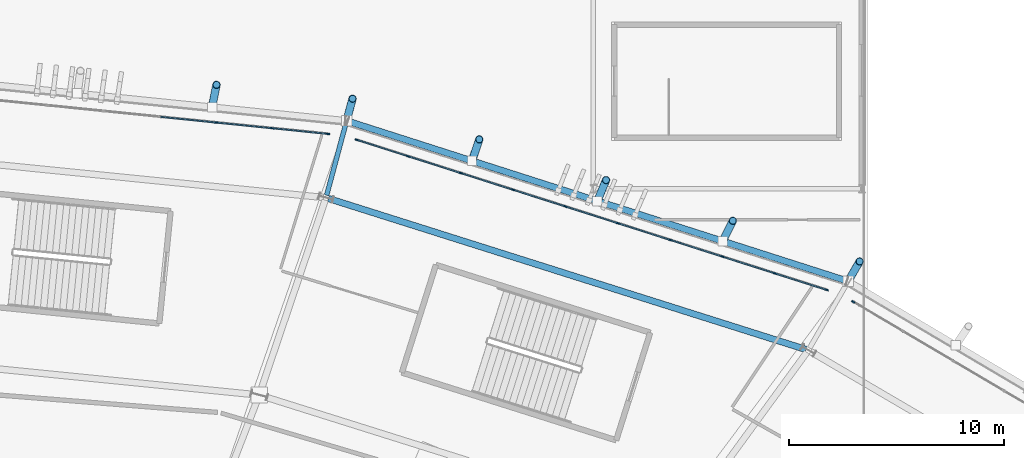
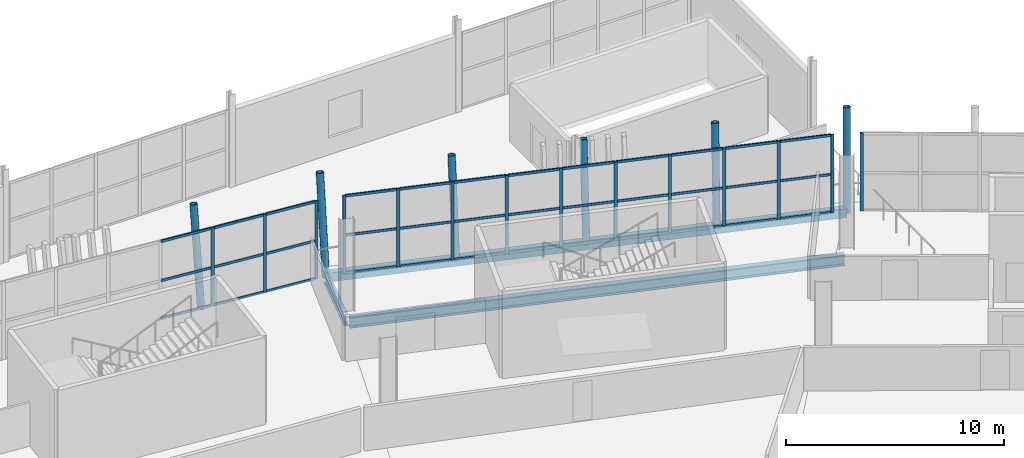
# One storey, part 76 of 168: 56 members, 3 beams, 3 elements without a shape of their own.
"""IFC4 building model written with IfcOpenShell, lengths in metres."""

from ifc_helpers import new_model, si_unit, direction, frame, origin, origin_2d, place, context, subcontext, project, spatial, rectangle, hollow_rectangle, hollow_circle, i_section, extrude, material, material_profile, profile_set, type_object, element, aggregate, save


model = new_model("IFC4")

# Units and contexts
model_context = context("Model", 3, precision=1e-05, world=origin(), true_north=direction((0.0, 1.0)))
body_context = subcontext(model_context, "Body", "Model", "MODEL_VIEW")
ifc_project = project(units=[si_unit("LENGTHUNIT", "METRE"), si_unit("AREAUNIT", "SQUARE_METRE"), si_unit("VOLUMEUNIT", "CUBIC_METRE"), si_unit("PLANEANGLEUNIT", "RADIAN"), si_unit("MASSUNIT", "GRAM", prefix="KILO")], contexts=[model_context])

# Site, building, storey
site_placement = place(None, origin())
site = spatial("IfcSite", under=ifc_project, at=site_placement, CompositionType="ELEMENT")
building_placement = place(site_placement, origin())
building = spatial("IfcBuilding", under=site, at=building_placement, Name="Zlatoyarsky Gate Stadium", CompositionType="ELEMENT")
storey_placement = place(building_placement, frame((0.0, 0.0, 15.60009765625)))
storey = spatial("IfcBuildingStorey", under=building, at=storey_placement, Name="L03", CompositionType="ELEMENT", Elevation=15.60009765625)

# Curtain wall, member
ifc_material_1 = material(Name="Thermally broken anodised aluminium curtain wall", Category="aluminium")
curtain_wall_type = type_object("IfcCurtainWallType", Name="UNITISED CORPORATE BOX GLAZING L03", PredefinedType="USERDEFINED", material=ifc_material_1)
curtain_wall_1_placement = place(storey_placement, origin())
curtain_wall_1 = element("IfcCurtainWall", 1, at=curtain_wall_1_placement, inside=storey, type_object=curtain_wall_type, Name="Curtain wall CW-L03-03", ObjectType="UNITISED GLAZING", PredefinedType="USERDEFINED")
ifc_material_2 = material(Name="Anodised aluminium 6063-T6", Category="aluminium")
ifc_material_profile_1 = material_profile(ifc_material_2, rectangle(XDim=0.06494140625, YDim=0.159912109375, at=origin_2d()), Name="ALU 65X160")
ifc_profile_set_1 = profile_set([ifc_material_profile_1], Name="Anodised aluminium 6063-T6")
member_type_1 = type_object("IfcMemberType", Name="ALUMINIUM MULLION 65X160", PredefinedType="MULLION", material=ifc_profile_set_1)
member_1_placement = place(storey_placement, frame((159.588623046875, 143.740234375, 0.0), z_axis=(0.0, 0.0, 1.0), x_axis=(-0.509098466593, -0.860708284678, 0.0)))
member_1 = element("IfcMember", 2, at=member_1_placement, type_object=member_type_1, Name="CW-UG3 mullion 9", PredefinedType="MULLION", context=body_context, shape_type="SweptSolid", body=[
    extrude(rectangle(XDim=0.06494140625, YDim=0.159912109375, at=origin_2d()), origin(), (0.0, 0.0, 1.0), 4.3798828125),
])
aggregate(curtain_wall_1, [member_1])

# Curtain wall, members
curtain_wall_2_placement = place(storey_placement, origin())
curtain_wall_2 = element("IfcCurtainWall", 3, at=curtain_wall_2_placement, inside=storey, type_object=curtain_wall_type, Name="Curtain wall CW-L03-04", ObjectType="UNITISED GLAZING", PredefinedType="USERDEFINED")
member_2_placement = place(storey_placement, frame((158.350830078125, 144.29541015625, 0.0), z_axis=(0.0, 0.0, 1.0), x_axis=(-0.304162129597, -0.952620280552, 0.0)))
member_2 = element("IfcMember", 4, at=member_2_placement, type_object=member_type_1, Name="CW-UG3 mullion 1", PredefinedType="MULLION", context=body_context, shape_type="SweptSolid", body=[
    extrude(rectangle(XDim=0.06494140625, YDim=0.159912109375, at=origin_2d()), origin(), (0.0, 0.0, 1.0), 4.3798828125),
])
member_3_placement = place(storey_placement, frame((155.94677734375, 145.06298828125, 0.0), z_axis=(0.0, 0.0, 1.0), x_axis=(-0.304162129597, -0.952620280552, 0.0)))
member_3 = element("IfcMember", 5, at=member_3_placement, type_object=member_type_1, Name="CW-UG3 mullion 2", PredefinedType="MULLION", context=body_context, shape_type="SweptSolid", body=[
    extrude(rectangle(XDim=0.06494140625, YDim=0.159912109375, at=origin_2d()), origin(), (0.0, 0.0, 1.0), 4.3798828125),
])
member_4_placement = place(storey_placement, frame((153.51171875, 145.840576171875, 0.0), z_axis=(0.0, 0.0, 1.0), x_axis=(-0.304162129597, -0.952620280552, 0.0)))
member_4 = element("IfcMember", 6, at=member_4_placement, type_object=member_type_1, Name="CW-UG3 mullion 3", PredefinedType="MULLION", context=body_context, shape_type="SweptSolid", body=[
    extrude(rectangle(XDim=0.06494140625, YDim=0.159912109375, at=origin_2d()), origin(), (0.0, 0.0, 1.0), 4.3798828125),
])
member_5_placement = place(storey_placement, frame((151.07666015625, 146.617919921875, 0.0), z_axis=(0.0, 0.0, 1.0), x_axis=(-0.304162129597, -0.952620280552, 0.0)))
member_5 = element("IfcMember", 7, at=member_5_placement, type_object=member_type_1, Name="CW-UG3 mullion 4", PredefinedType="MULLION", context=body_context, shape_type="SweptSolid", body=[
    extrude(rectangle(XDim=0.06494140625, YDim=0.159912109375, at=origin_2d()), origin(), (0.0, 0.0, 1.0), 4.3798828125),
])
member_6_placement = place(storey_placement, frame((148.6416015625, 147.3955078125, 0.0), z_axis=(0.0, 0.0, 1.0), x_axis=(-0.304162129597, -0.952620280552, 0.0)))
member_6 = element("IfcMember", 8, at=member_6_placement, type_object=member_type_1, Name="CW-UG3 mullion 5", PredefinedType="MULLION", context=body_context, shape_type="SweptSolid", body=[
    extrude(rectangle(XDim=0.06494140625, YDim=0.159912109375, at=origin_2d()), origin(), (0.0, 0.0, 1.0), 4.3798828125),
])
member_7_placement = place(storey_placement, frame((146.20654296875, 148.1728515625, 0.0), z_axis=(0.0, 0.0, 1.0), x_axis=(-0.304162129597, -0.952620280552, 0.0)))
member_7 = element("IfcMember", 9, at=member_7_placement, type_object=member_type_1, Name="CW-UG3 mullion 6", PredefinedType="MULLION", context=body_context, shape_type="SweptSolid", body=[
    extrude(rectangle(XDim=0.06494140625, YDim=0.159912109375, at=origin_2d()), origin(), (0.0, 0.0, 1.0), 4.3798828125),
])
member_8_placement = place(storey_placement, frame((143.771484375, 148.950439453125, 0.0), z_axis=(0.0, 0.0, 1.0), x_axis=(-0.304162129597, -0.952620280552, 0.0)))
member_8 = element("IfcMember", 10, at=member_8_placement, type_object=member_type_1, Name="CW-UG3 mullion 7", PredefinedType="MULLION", context=body_context, shape_type="SweptSolid", body=[
    extrude(rectangle(XDim=0.06494140625, YDim=0.159912109375, at=origin_2d()), origin(), (0.0, 0.0, 1.0), 4.3798828125),
])
member_9_placement = place(storey_placement, frame((141.33642578125, 149.72802734375, 0.0), z_axis=(0.0, 0.0, 1.0), x_axis=(-0.304162129597, -0.952620280552, 0.0)))
member_9 = element("IfcMember", 11, at=member_9_placement, type_object=member_type_1, Name="CW-UG3 mullion 8", PredefinedType="MULLION", context=body_context, shape_type="SweptSolid", body=[
    extrude(rectangle(XDim=0.06494140625, YDim=0.159912109375, at=origin_2d()), origin(), (0.0, 0.0, 1.0), 4.3798828125),
])
member_10_placement = place(storey_placement, frame((138.9013671875, 150.50537109375, 0.0), z_axis=(0.0, 0.0, 1.0), x_axis=(-0.304162129597, -0.952620280552, 0.0)))
member_10 = element("IfcMember", 12, at=member_10_placement, type_object=member_type_1, Name="CW-UG3 mullion 9", PredefinedType="MULLION", context=body_context, shape_type="SweptSolid", body=[
    extrude(rectangle(XDim=0.06494140625, YDim=0.159912109375, at=origin_2d()), origin(), (0.0, 0.0, 1.0), 4.3798828125),
])
member_11_placement = place(storey_placement, frame((136.497314453125, 151.27294921875, 0.0), z_axis=(0.0, 0.0, 1.0), x_axis=(-0.304162129597, -0.952620280552, 0.0)))
member_11 = element("IfcMember", 13, at=member_11_placement, type_object=member_type_1, Name="CW-UG3 mullion 10", PredefinedType="MULLION", context=body_context, shape_type="SweptSolid", body=[
    extrude(rectangle(XDim=0.06494140625, YDim=0.159912109375, at=origin_2d()), origin(), (0.0, 0.0, 1.0), 4.3798828125),
])

curtain_wall_3_placement = place(storey_placement, origin())
curtain_wall_3 = element("IfcCurtainWall", 14, at=curtain_wall_3_placement, inside=storey, type_object=curtain_wall_type, Name="Curtain wall CW-L03-05", ObjectType="UNITISED GLAZING", PredefinedType="USERDEFINED")
member_12_placement = place(storey_placement, frame((135.168212890625, 151.549560546875, 0.0), z_axis=(0.0, 0.0, 1.0), x_axis=(-0.100968176403, -0.994889655868, 0.0)))
member_12 = element("IfcMember", 15, at=member_12_placement, type_object=member_type_1, Name="CW-UG3 mullion 1", PredefinedType="MULLION", context=body_context, shape_type="SweptSolid", body=[
    extrude(rectangle(XDim=0.06494140625, YDim=0.159912109375, at=origin_2d()), origin(), (0.0, 0.0, 1.0), 4.3798828125),
])
member_13_placement = place(storey_placement, frame((132.58349609375, 151.811767578125, 0.0), z_axis=(0.0, 0.0, 1.0), x_axis=(-0.100968176403, -0.994889655868, 0.0)))
member_13 = element("IfcMember", 16, at=member_13_placement, type_object=member_type_1, Name="CW-UG3 mullion 2", PredefinedType="MULLION", context=body_context, shape_type="SweptSolid", body=[
    extrude(rectangle(XDim=0.06494140625, YDim=0.159912109375, at=origin_2d()), origin(), (0.0, 0.0, 1.0), 4.3798828125),
])
member_14_placement = place(storey_placement, frame((129.96630859375, 152.077392578125, 0.0), z_axis=(0.0, 0.0, 1.0), x_axis=(-0.100968176403, -0.994889655868, 0.0)))
member_14 = element("IfcMember", 17, at=member_14_placement, type_object=member_type_1, Name="CW-UG3 mullion 3", PredefinedType="MULLION", context=body_context, shape_type="SweptSolid", body=[
    extrude(rectangle(XDim=0.06494140625, YDim=0.159912109375, at=origin_2d()), origin(), (0.0, 0.0, 1.0), 4.3798828125),
])

# Member
ifc_material_profile_2 = material_profile(ifc_material_2, rectangle(XDim=0.06494140625, YDim=0.139892578125, at=origin_2d()), Name="ALU 65X140")
ifc_profile_set_2 = profile_set([ifc_material_profile_2], Name="Anodised aluminium 6063-T6")
member_type_2 = type_object("IfcMemberType", Name="ALUMINIUM TRANSOM 65X140", PredefinedType="USERDEFINED", material=ifc_profile_set_2)
member_15_placement = place(storey_placement, frame((158.320068359375, 144.30517578125, 0.032470703125), z_axis=(-0.952599226387, 0.304228062294, 0.0), x_axis=(-0.304228062294, -0.952599226387, 0.0)))
member_15 = element("IfcMember", 18, at=member_15_placement, type_object=member_type_2, Name="CW-UG3 transom 1.1", ObjectType="TRANSOM", PredefinedType="USERDEFINED", context=body_context, shape_type="SweptSolid", body=[
    extrude(rectangle(XDim=0.06494140625, YDim=0.139892578125, at=origin_2d()), origin(), (0.0, 0.0, 1.0), 2.458740234375),
])

member_16_placement = place(storey_placement, frame((158.320068359375, 144.30517578125, 2.14990234375), z_axis=(-0.952599226387, 0.304228062294, 0.0), x_axis=(-0.304228062294, -0.952599226387, 0.0)))
member_16 = element("IfcMember", 19, at=member_16_placement, type_object=member_type_2, Name="CW-UG3 transom 1.2", ObjectType="TRANSOM", PredefinedType="USERDEFINED", context=body_context, shape_type="SweptSolid", body=[
    extrude(rectangle(XDim=0.06494140625, YDim=0.139892578125, at=origin_2d()), origin(), (0.0, 0.0, 1.0), 2.458740234375),
])

member_17_placement = place(storey_placement, frame((158.320068359375, 144.30517578125, 4.347412109375), z_axis=(-0.952599226387, 0.304228062294, 0.0), x_axis=(-0.304228062294, -0.952599226387, 0.0)))
member_17 = element("IfcMember", 20, at=member_17_placement, type_object=member_type_2, Name="CW-UG3 transom 1.3", ObjectType="TRANSOM", PredefinedType="USERDEFINED", context=body_context, shape_type="SweptSolid", body=[
    extrude(rectangle(XDim=0.06494140625, YDim=0.139892578125, at=origin_2d()), origin(), (0.0, 0.0, 1.0), 2.458740234375),
])

member_18_placement = place(storey_placement, frame((155.915771484375, 145.07275390625, 0.032470703125), z_axis=(-0.95260604701, 0.304206704724, 0.0), x_axis=(-0.304206704724, -0.95260604701, 0.0)))
member_18 = element("IfcMember", 21, at=member_18_placement, type_object=member_type_2, Name="CW-UG3 transom 2.1", ObjectType="TRANSOM", PredefinedType="USERDEFINED", context=body_context, shape_type="SweptSolid", body=[
    extrude(rectangle(XDim=0.06494140625, YDim=0.139892578125, at=origin_2d()), origin(), (0.0, 0.0, 1.0), 2.4912109375),
])

member_19_placement = place(storey_placement, frame((155.915771484375, 145.07275390625, 2.14990234375), z_axis=(-0.95260604701, 0.304206704724, 0.0), x_axis=(-0.304206704724, -0.95260604701, 0.0)))
member_19 = element("IfcMember", 22, at=member_19_placement, type_object=member_type_2, Name="CW-UG3 transom 2.2", ObjectType="TRANSOM", PredefinedType="USERDEFINED", context=body_context, shape_type="SweptSolid", body=[
    extrude(rectangle(XDim=0.06494140625, YDim=0.139892578125, at=origin_2d()), origin(), (0.0, 0.0, 1.0), 2.4912109375),
])

member_20_placement = place(storey_placement, frame((155.915771484375, 145.07275390625, 4.347412109375), z_axis=(-0.95260604701, 0.304206704724, 0.0), x_axis=(-0.304206704724, -0.95260604701, 0.0)))
member_20 = element("IfcMember", 23, at=member_20_placement, type_object=member_type_2, Name="CW-UG3 transom 2.3", ObjectType="TRANSOM", PredefinedType="USERDEFINED", context=body_context, shape_type="SweptSolid", body=[
    extrude(rectangle(XDim=0.06494140625, YDim=0.139892578125, at=origin_2d()), origin(), (0.0, 0.0, 1.0), 2.4912109375),
])

member_21_placement = place(storey_placement, frame((153.480712890625, 145.850341796875, 0.032470703125), z_axis=(-0.95260604701, 0.304206704724, 0.0), x_axis=(-0.304206704724, -0.95260604701, 0.0)))
member_21 = element("IfcMember", 24, at=member_21_placement, type_object=member_type_2, Name="CW-UG3 transom 3.1", ObjectType="TRANSOM", PredefinedType="USERDEFINED", context=body_context, shape_type="SweptSolid", body=[
    extrude(rectangle(XDim=0.06494140625, YDim=0.139892578125, at=origin_2d()), origin(), (0.0, 0.0, 1.0), 2.4912109375),
])

member_22_placement = place(storey_placement, frame((153.480712890625, 145.850341796875, 2.14990234375), z_axis=(-0.95260604701, 0.304206704724, 0.0), x_axis=(-0.304206704724, -0.95260604701, 0.0)))
member_22 = element("IfcMember", 25, at=member_22_placement, type_object=member_type_2, Name="CW-UG3 transom 3.2", ObjectType="TRANSOM", PredefinedType="USERDEFINED", context=body_context, shape_type="SweptSolid", body=[
    extrude(rectangle(XDim=0.06494140625, YDim=0.139892578125, at=origin_2d()), origin(), (0.0, 0.0, 1.0), 2.4912109375),
])

member_23_placement = place(storey_placement, frame((153.480712890625, 145.850341796875, 4.347412109375), z_axis=(-0.95260604701, 0.304206704724, 0.0), x_axis=(-0.304206704724, -0.95260604701, 0.0)))
member_23 = element("IfcMember", 26, at=member_23_placement, type_object=member_type_2, Name="CW-UG3 transom 3.3", ObjectType="TRANSOM", PredefinedType="USERDEFINED", context=body_context, shape_type="SweptSolid", body=[
    extrude(rectangle(XDim=0.06494140625, YDim=0.139892578125, at=origin_2d()), origin(), (0.0, 0.0, 1.0), 2.4912109375),
])

member_24_placement = place(storey_placement, frame((151.045654296875, 146.6279296875, 0.032470703125), z_axis=(-0.952634444414, 0.304117765537, 0.0), x_axis=(-0.304117765537, -0.952634444414, 0.0)))
member_24 = element("IfcMember", 27, at=member_24_placement, type_object=member_type_2, Name="CW-UG3 transom 4.1", ObjectType="TRANSOM", PredefinedType="USERDEFINED", context=body_context, shape_type="SweptSolid", body=[
    extrude(rectangle(XDim=0.06494140625, YDim=0.139892578125, at=origin_2d()), origin(), (0.0, 0.0, 1.0), 2.490966796875),
])

member_25_placement = place(storey_placement, frame((151.045654296875, 146.6279296875, 2.14990234375), z_axis=(-0.952634444414, 0.304117765537, 0.0), x_axis=(-0.304117765537, -0.952634444414, 0.0)))
member_25 = element("IfcMember", 28, at=member_25_placement, type_object=member_type_2, Name="CW-UG3 transom 4.2", ObjectType="TRANSOM", PredefinedType="USERDEFINED", context=body_context, shape_type="SweptSolid", body=[
    extrude(rectangle(XDim=0.06494140625, YDim=0.139892578125, at=origin_2d()), origin(), (0.0, 0.0, 1.0), 2.490966796875),
])

member_26_placement = place(storey_placement, frame((151.045654296875, 146.6279296875, 4.347412109375), z_axis=(-0.952634444414, 0.304117765537, 0.0), x_axis=(-0.304117765537, -0.952634444414, 0.0)))
member_26 = element("IfcMember", 29, at=member_26_placement, type_object=member_type_2, Name="CW-UG3 transom 4.3", ObjectType="TRANSOM", PredefinedType="USERDEFINED", context=body_context, shape_type="SweptSolid", body=[
    extrude(rectangle(XDim=0.06494140625, YDim=0.139892578125, at=origin_2d()), origin(), (0.0, 0.0, 1.0), 2.490966796875),
])

member_27_placement = place(storey_placement, frame((148.610595703125, 147.4052734375, 0.032470703125), z_axis=(-0.95260604701, 0.304206704724, 0.0), x_axis=(-0.304206704724, -0.95260604701, 0.0)))
member_27 = element("IfcMember", 30, at=member_27_placement, type_object=member_type_2, Name="CW-UG3 transom 5.1", ObjectType="TRANSOM", PredefinedType="USERDEFINED", context=body_context, shape_type="SweptSolid", body=[
    extrude(rectangle(XDim=0.06494140625, YDim=0.139892578125, at=origin_2d()), origin(), (0.0, 0.0, 1.0), 2.4912109375),
])

member_28_placement = place(storey_placement, frame((148.610595703125, 147.4052734375, 2.14990234375), z_axis=(-0.95260604701, 0.304206704724, 0.0), x_axis=(-0.304206704724, -0.95260604701, 0.0)))
member_28 = element("IfcMember", 31, at=member_28_placement, type_object=member_type_2, Name="CW-UG3 transom 5.2", ObjectType="TRANSOM", PredefinedType="USERDEFINED", context=body_context, shape_type="SweptSolid", body=[
    extrude(rectangle(XDim=0.06494140625, YDim=0.139892578125, at=origin_2d()), origin(), (0.0, 0.0, 1.0), 2.4912109375),
])

member_29_placement = place(storey_placement, frame((148.610595703125, 147.4052734375, 4.347412109375), z_axis=(-0.95260604701, 0.304206704724, 0.0), x_axis=(-0.304206704724, -0.95260604701, 0.0)))
member_29 = element("IfcMember", 32, at=member_29_placement, type_object=member_type_2, Name="CW-UG3 transom 5.3", ObjectType="TRANSOM", PredefinedType="USERDEFINED", context=body_context, shape_type="SweptSolid", body=[
    extrude(rectangle(XDim=0.06494140625, YDim=0.139892578125, at=origin_2d()), origin(), (0.0, 0.0, 1.0), 2.4912109375),
])

member_30_placement = place(storey_placement, frame((146.17578125, 148.182861328125, 0.032470703125), z_axis=(-0.95264350764, 0.304089373954, 0.0), x_axis=(-0.304089373954, -0.95264350764, 0.0)))
member_30 = element("IfcMember", 33, at=member_30_placement, type_object=member_type_2, Name="CW-UG3 transom 6.1", ObjectType="TRANSOM", PredefinedType="USERDEFINED", context=body_context, shape_type="SweptSolid", body=[
    extrude(rectangle(XDim=0.06494140625, YDim=0.139892578125, at=origin_2d()), origin(), (0.0, 0.0, 1.0), 2.4912109375),
])

member_31_placement = place(storey_placement, frame((146.17578125, 148.182861328125, 2.14990234375), z_axis=(-0.95264350764, 0.304089373954, 0.0), x_axis=(-0.304089373954, -0.95264350764, 0.0)))
member_31 = element("IfcMember", 34, at=member_31_placement, type_object=member_type_2, Name="CW-UG3 transom 6.2", ObjectType="TRANSOM", PredefinedType="USERDEFINED", context=body_context, shape_type="SweptSolid", body=[
    extrude(rectangle(XDim=0.06494140625, YDim=0.139892578125, at=origin_2d()), origin(), (0.0, 0.0, 1.0), 2.4912109375),
])

member_32_placement = place(storey_placement, frame((146.17578125, 148.182861328125, 4.347412109375), z_axis=(-0.95264350764, 0.304089373954, 0.0), x_axis=(-0.304089373954, -0.95264350764, 0.0)))
member_32 = element("IfcMember", 35, at=member_32_placement, type_object=member_type_2, Name="CW-UG3 transom 6.3", ObjectType="TRANSOM", PredefinedType="USERDEFINED", context=body_context, shape_type="SweptSolid", body=[
    extrude(rectangle(XDim=0.06494140625, YDim=0.139892578125, at=origin_2d()), origin(), (0.0, 0.0, 1.0), 2.4912109375),
])

member_33_placement = place(storey_placement, frame((143.74072265625, 148.960205078125, 0.032470703125), z_axis=(-0.952615115267, 0.304178306531, 0.0), x_axis=(-0.304178306531, -0.952615115267, 0.0)))
member_33 = element("IfcMember", 36, at=member_33_placement, type_object=member_type_2, Name="CW-UG3 transom 7.1", ObjectType="TRANSOM", PredefinedType="USERDEFINED", context=body_context, shape_type="SweptSolid", body=[
    extrude(rectangle(XDim=0.06494140625, YDim=0.139892578125, at=origin_2d()), origin(), (0.0, 0.0, 1.0), 2.491455078125),
])

member_34_placement = place(storey_placement, frame((143.74072265625, 148.960205078125, 2.14990234375), z_axis=(-0.952615115267, 0.304178306531, 0.0), x_axis=(-0.304178306531, -0.952615115267, 0.0)))
member_34 = element("IfcMember", 37, at=member_34_placement, type_object=member_type_2, Name="CW-UG3 transom 7.2", ObjectType="TRANSOM", PredefinedType="USERDEFINED", context=body_context, shape_type="SweptSolid", body=[
    extrude(rectangle(XDim=0.06494140625, YDim=0.139892578125, at=origin_2d()), origin(), (0.0, 0.0, 1.0), 2.491455078125),
])

member_35_placement = place(storey_placement, frame((143.74072265625, 148.960205078125, 4.347412109375), z_axis=(-0.952615115267, 0.304178306531, 0.0), x_axis=(-0.304178306531, -0.952615115267, 0.0)))
member_35 = element("IfcMember", 38, at=member_35_placement, type_object=member_type_2, Name="CW-UG3 transom 7.3", ObjectType="TRANSOM", PredefinedType="USERDEFINED", context=body_context, shape_type="SweptSolid", body=[
    extrude(rectangle(XDim=0.06494140625, YDim=0.139892578125, at=origin_2d()), origin(), (0.0, 0.0, 1.0), 2.491455078125),
])

member_36_placement = place(storey_placement, frame((141.3056640625, 149.73779296875, 0.032470703125), z_axis=(-0.952615115267, 0.304178306531, 0.0), x_axis=(-0.304178306531, -0.952615115267, 0.0)))
member_36 = element("IfcMember", 39, at=member_36_placement, type_object=member_type_2, Name="CW-UG3 transom 8.1", ObjectType="TRANSOM", PredefinedType="USERDEFINED", context=body_context, shape_type="SweptSolid", body=[
    extrude(rectangle(XDim=0.06494140625, YDim=0.139892578125, at=origin_2d()), origin(), (0.0, 0.0, 1.0), 2.491455078125),
])

member_37_placement = place(storey_placement, frame((141.3056640625, 149.73779296875, 2.14990234375), z_axis=(-0.952615115267, 0.304178306531, 0.0), x_axis=(-0.304178306531, -0.952615115267, 0.0)))
member_37 = element("IfcMember", 40, at=member_37_placement, type_object=member_type_2, Name="CW-UG3 transom 8.2", ObjectType="TRANSOM", PredefinedType="USERDEFINED", context=body_context, shape_type="SweptSolid", body=[
    extrude(rectangle(XDim=0.06494140625, YDim=0.139892578125, at=origin_2d()), origin(), (0.0, 0.0, 1.0), 2.491455078125),
])

member_38_placement = place(storey_placement, frame((141.3056640625, 149.73779296875, 4.347412109375), z_axis=(-0.952615115267, 0.304178306531, 0.0), x_axis=(-0.304178306531, -0.952615115267, 0.0)))
member_38 = element("IfcMember", 41, at=member_38_placement, type_object=member_type_2, Name="CW-UG3 transom 8.3", ObjectType="TRANSOM", PredefinedType="USERDEFINED", context=body_context, shape_type="SweptSolid", body=[
    extrude(rectangle(XDim=0.06494140625, YDim=0.139892578125, at=origin_2d()), origin(), (0.0, 0.0, 1.0), 2.491455078125),
])

member_39_placement = place(storey_placement, frame((138.87060546875, 150.515380859375, 0.032470703125), z_axis=(-0.952627998304, 0.304137956932, 0.0), x_axis=(-0.304137956932, -0.952627998304, 0.0)))
member_39 = element("IfcMember", 42, at=member_39_placement, type_object=member_type_2, Name="CW-UG3 transom 9.1", ObjectType="TRANSOM", PredefinedType="USERDEFINED", context=body_context, shape_type="SweptSolid", body=[
    extrude(rectangle(XDim=0.06494140625, YDim=0.139892578125, at=origin_2d()), origin(), (0.0, 0.0, 1.0), 2.458740234375),
])

member_40_placement = place(storey_placement, frame((138.87060546875, 150.515380859375, 2.14990234375), z_axis=(-0.952627998304, 0.304137956932, 0.0), x_axis=(-0.304137956932, -0.952627998304, 0.0)))
member_40 = element("IfcMember", 43, at=member_40_placement, type_object=member_type_2, Name="CW-UG3 transom 9.2", ObjectType="TRANSOM", PredefinedType="USERDEFINED", context=body_context, shape_type="SweptSolid", body=[
    extrude(rectangle(XDim=0.06494140625, YDim=0.139892578125, at=origin_2d()), origin(), (0.0, 0.0, 1.0), 2.458740234375),
])

member_41_placement = place(storey_placement, frame((138.87060546875, 150.515380859375, 4.347412109375), z_axis=(-0.952627998304, 0.304137956932, 0.0), x_axis=(-0.304137956932, -0.952627998304, 0.0)))
member_41 = element("IfcMember", 44, at=member_41_placement, type_object=member_type_2, Name="CW-UG3 transom 9.3", ObjectType="TRANSOM", PredefinedType="USERDEFINED", context=body_context, shape_type="SweptSolid", body=[
    extrude(rectangle(XDim=0.06494140625, YDim=0.139892578125, at=origin_2d()), origin(), (0.0, 0.0, 1.0), 2.458740234375),
])

aggregate(curtain_wall_2, [member_2, member_3, member_4, member_5, member_6, member_7, member_8, member_9, member_10, member_11, member_15, member_16, member_17, member_18, member_19, member_20, member_21, member_22, member_23, member_24, member_25, member_26, member_27, member_28, member_29, member_30, member_31, member_32, member_33, member_34, member_35, member_36, member_37, member_38, member_39, member_40, member_41])

member_42_placement = place(storey_placement, frame((135.1357421875, 151.552734375, 0.032470703125), z_axis=(-0.994885267415, 0.101011408666, 0.0), x_axis=(-0.101011408666, -0.994885267415, 0.0)))
member_42 = element("IfcMember", 45, at=member_42_placement, type_object=member_type_2, Name="CW-UG3 transom 1.1", ObjectType="TRANSOM", PredefinedType="USERDEFINED", context=body_context, shape_type="SweptSolid", body=[
    extrude(rectangle(XDim=0.06494140625, YDim=0.139892578125, at=origin_2d()), origin(), (0.0, 0.0, 1.0), 2.532958984375),
])

member_43_placement = place(storey_placement, frame((135.1357421875, 151.552734375, 2.14990234375), z_axis=(-0.994885267415, 0.101011408666, 0.0), x_axis=(-0.101011408666, -0.994885267415, 0.0)))
member_43 = element("IfcMember", 46, at=member_43_placement, type_object=member_type_2, Name="CW-UG3 transom 1.2", ObjectType="TRANSOM", PredefinedType="USERDEFINED", context=body_context, shape_type="SweptSolid", body=[
    extrude(rectangle(XDim=0.06494140625, YDim=0.139892578125, at=origin_2d()), origin(), (0.0, 0.0, 1.0), 2.532958984375),
])

member_44_placement = place(storey_placement, frame((135.1357421875, 151.552734375, 4.347412109375), z_axis=(-0.994885267415, 0.101011408666, 0.0), x_axis=(-0.101011408666, -0.994885267415, 0.0)))
member_44 = element("IfcMember", 47, at=member_44_placement, type_object=member_type_2, Name="CW-UG3 transom 1.3", ObjectType="TRANSOM", PredefinedType="USERDEFINED", context=body_context, shape_type="SweptSolid", body=[
    extrude(rectangle(XDim=0.06494140625, YDim=0.139892578125, at=origin_2d()), origin(), (0.0, 0.0, 1.0), 2.532958984375),
])

member_45_placement = place(storey_placement, frame((132.551025390625, 151.815185546875, 0.032470703125), z_axis=(-0.994890082067, 0.100963976765, 0.0), x_axis=(-0.100963976765, -0.994890082067, 0.0)))
member_45 = element("IfcMember", 48, at=member_45_placement, type_object=member_type_2, Name="CW-UG3 transom 2.1", ObjectType="TRANSOM", PredefinedType="USERDEFINED", context=body_context, shape_type="SweptSolid", body=[
    extrude(rectangle(XDim=0.06494140625, YDim=0.139892578125, at=origin_2d()), origin(), (0.0, 0.0, 1.0), 2.565673828125),
])

member_46_placement = place(storey_placement, frame((132.551025390625, 151.815185546875, 2.14990234375), z_axis=(-0.994890082067, 0.100963976765, 0.0), x_axis=(-0.100963976765, -0.994890082067, 0.0)))
member_46 = element("IfcMember", 49, at=member_46_placement, type_object=member_type_2, Name="CW-UG3 transom 2.2", ObjectType="TRANSOM", PredefinedType="USERDEFINED", context=body_context, shape_type="SweptSolid", body=[
    extrude(rectangle(XDim=0.06494140625, YDim=0.139892578125, at=origin_2d()), origin(), (0.0, 0.0, 1.0), 2.565673828125),
])

member_47_placement = place(storey_placement, frame((132.551025390625, 151.815185546875, 4.347412109375), z_axis=(-0.994890082067, 0.100963976765, 0.0), x_axis=(-0.100963976765, -0.994890082067, 0.0)))
member_47 = element("IfcMember", 50, at=member_47_placement, type_object=member_type_2, Name="CW-UG3 transom 2.3", ObjectType="TRANSOM", PredefinedType="USERDEFINED", context=body_context, shape_type="SweptSolid", body=[
    extrude(rectangle(XDim=0.06494140625, YDim=0.139892578125, at=origin_2d()), origin(), (0.0, 0.0, 1.0), 2.565673828125),
])

member_48_placement = place(storey_placement, frame((129.93408203125, 152.08056640625, 0.032470703125), z_axis=(-0.994890082067, 0.100963976765, 0.0), x_axis=(-0.100963976765, -0.994890082067, 0.0)))
member_48 = element("IfcMember", 51, at=member_48_placement, type_object=member_type_2, Name="CW-UG3 transom 3.1", ObjectType="TRANSOM", PredefinedType="USERDEFINED", context=body_context, shape_type="SweptSolid", body=[
    extrude(rectangle(XDim=0.06494140625, YDim=0.139892578125, at=origin_2d()), origin(), (0.0, 0.0, 1.0), 2.565673828125),
])

member_49_placement = place(storey_placement, frame((129.93408203125, 152.08056640625, 2.14990234375), z_axis=(-0.994890082067, 0.100963976765, 0.0), x_axis=(-0.100963976765, -0.994890082067, 0.0)))
member_49 = element("IfcMember", 52, at=member_49_placement, type_object=member_type_2, Name="CW-UG3 transom 3.2", ObjectType="TRANSOM", PredefinedType="USERDEFINED", context=body_context, shape_type="SweptSolid", body=[
    extrude(rectangle(XDim=0.06494140625, YDim=0.139892578125, at=origin_2d()), origin(), (0.0, 0.0, 1.0), 2.565673828125),
])

member_50_placement = place(storey_placement, frame((129.93408203125, 152.08056640625, 4.347412109375), z_axis=(-0.994890082067, 0.100963976765, 0.0), x_axis=(-0.100963976765, -0.994890082067, 0.0)))
member_50 = element("IfcMember", 53, at=member_50_placement, type_object=member_type_2, Name="CW-UG3 transom 3.3", ObjectType="TRANSOM", PredefinedType="USERDEFINED", context=body_context, shape_type="SweptSolid", body=[
    extrude(rectangle(XDim=0.06494140625, YDim=0.139892578125, at=origin_2d()), origin(), (0.0, 0.0, 1.0), 2.565673828125),
])

aggregate(curtain_wall_3, [member_12, member_13, member_14, member_42, member_43, member_44, member_45, member_46, member_47, member_48, member_49, member_50])

# Beam
ifc_material_3 = material(Name="Steel S355", Category="steel")
ifc_material_profile_3 = material_profile(ifc_material_3, i_section(OverallWidth=0.219970703125, OverallDepth=0.60009765625, WebThickness=0.011962890625, FlangeThickness=0.01904296875, FilletRadius=0.02392578125, at=origin_2d()), Name="IPE 600")
ifc_profile_set_3 = profile_set([ifc_material_profile_3], Name="Steel S355")
beam_type_1 = type_object("IfcBeamType", Name="STEEL CANTILEVER FLOOR BEAM IPE 600", PredefinedType="BEAM", material=ifc_profile_set_3)
beam_1_placement = place(storey_placement, frame((135.101318359375, 148.696533203125, -0.580078125), z_axis=(0.258778100346, 0.965936796473, 0.0), x_axis=(-0.965936796473, 0.258778100346, 0.0)))
element("IfcBeam", 54, at=beam_1_placement, inside=storey, type_object=beam_type_1, Name="Beam B-IPE600 BM-L03-OUT-05", PredefinedType="BEAM", context=body_context, shape_type="SweptSolid", body=[
    extrude(i_section(OverallWidth=0.219970703125, OverallDepth=0.60009765625, WebThickness=0.011962890625, FlangeThickness=0.01904296875, FilletRadius=0.02392578125, at=origin_2d()), origin(), (0.0, 0.0, 1.0), 3.582275390625),
])

# Members
ifc_material_profile_4 = material_profile(ifc_material_3, hollow_circle(Radius=0.177734375, WallThickness=0.02001953125, at=origin_2d()), Name="CHS 355.6X20")
ifc_profile_set_4 = profile_set([ifc_material_profile_4], Name="Steel S355")
member_type_3 = type_object("IfcMemberType", Name="STEEL LEANING RIB RING STRUT CHS 355.6X20", PredefinedType="STRUT", material=ifc_profile_set_4)
for number, where, z_axis, x_axis, name in (
    (55, (159.35107421875, 144.694091796875, -0.580078125), (0.100910684317, 0.174770288575, 0.979424514714), (-0.866010359988, 0.500026055714, 0.0), "Leaning ring strut 04 L03 to L04"),
    (56, (136.0283203125, 152.15673828125, -0.580078125), (0.052255516288, 0.194942619511, 0.979421633473), (-0.965900058049, 0.258915194343, 0.0), "Leaning ring strut 05 L03 to L04"),
):
    element("IfcMember", number, at=place(storey_placement, frame(where, z_axis=z_axis, x_axis=x_axis)), inside=storey, type_object=member_type_3, Name=name, PredefinedType="STRUT", context=body_context, shape_type="SweptSolid", body=[
        extrude(hollow_circle(Radius=0.177734375, WallThickness=0.02001953125, at=origin_2d()), origin(), (0.0, 0.0, 1.0), 5.288818359375),
    ])
member_51_placement = place(storey_placement, frame((153.5205078125, 146.559814453125, -0.530029296875), z_axis=(0.088747235311, 0.179849366045, 0.979682669928), x_axis=(-0.896763250695, 0.442510646428, 0.0)))
element("IfcMember", 57, at=member_51_placement, inside=storey, type_object=member_type_3, Name="Outward-leaning bowl louvre fin rib L03 04-1", PredefinedType="STRUT", context=body_context, shape_type="SweptSolid", body=[
    extrude(hollow_circle(Radius=0.177734375, WallThickness=0.02001953125, at=origin_2d()), origin(), (0.0, 0.0, 1.0), 5.287353515625),
])
member_52_placement = place(storey_placement, frame((147.689697265625, 148.42529296875, -0.530029296875), z_axis=(0.076609308782, 0.184942906373, 0.97975871274), x_axis=(-0.923873441445, 0.382698137168, 0.0)))
element("IfcMember", 58, at=member_52_placement, inside=storey, type_object=member_type_3, Name="Outward-leaning bowl louvre fin rib L03 04-2", PredefinedType="STRUT", context=body_context, shape_type="SweptSolid", body=[
    extrude(hollow_circle(Radius=0.177734375, WallThickness=0.02001953125, at=origin_2d()), origin(), (0.0, 0.0, 1.0), 5.286865234375),
])
for number, where, z_axis, x_axis, name in (
    (59, (141.859130859375, 150.291015625, -0.530029296875), (0.064412909996, 0.189960366827, 0.979676495615), (-0.947036218276, 0.321126768229, 0.0), "Outward-leaning bowl louvre fin rib L03 04-3"),
    (60, (129.771240234375, 152.793212890625, -0.530029296875), (0.039201945037, 0.196702339053, 0.979679231849), (-0.980713266813, 0.195452010217, 0.0), "Outward-leaning bowl louvre fin rib L03 05-1"),
):
    element("IfcMember", number, at=place(storey_placement, frame(where, z_axis=z_axis, x_axis=x_axis)), inside=storey, type_object=member_type_3, Name=name, PredefinedType="STRUT", context=body_context, shape_type="SweptSolid", body=[
        extrude(hollow_circle(Radius=0.177734375, WallThickness=0.02001953125, at=origin_2d()), origin(), (0.0, 0.0, 1.0), 5.287353515625),
    ])

# Beams
ifc_material_profile_5 = material_profile(ifc_material_3, hollow_rectangle(XDim=0.300048828125, YDim=0.5, WallThickness=0.02001953125, at=origin_2d()), Name="RHS 500X300X20")
ifc_profile_set_5 = profile_set([ifc_material_profile_5], Name="Steel S355")
beam_type_2 = type_object("IfcBeamType", Name="STEEL LOUVRE CARRIER SPANDREL RHS 500X300X20", PredefinedType="SPANDREL", material=ifc_profile_set_5)
beam_2_placement = place(storey_placement, frame((159.33203125, 144.7001953125, -0.530029296875), z_axis=(-0.952431915611, 0.304751449752, 0.0), x_axis=(-0.304751449752, -0.952431915611, 0.0)))
element("IfcBeam", 61, at=beam_2_placement, inside=storey, type_object=beam_type_2, Name="Beam SP-RHS500 BM-L03-SPD-04", PredefinedType="SPANDREL", context=body_context, shape_type="SweptSolid", body=[
    extrude(hollow_rectangle(XDim=0.300048828125, YDim=0.5, WallThickness=0.02001953125, at=origin_2d()), origin(), (0.0, 0.0, 1.0), 24.447509765625),
])
ifc_material_profile_6 = material_profile(ifc_material_3, i_section(OverallWidth=0.300048828125, OverallDepth=0.60009765625, WebThickness=0.015380859375, FlangeThickness=0.030029296875, FilletRadius=0.027099609375, at=origin_2d()), Name="HEB 600")
ifc_profile_set_6 = profile_set([ifc_material_profile_6], Name="Steel S355")
beam_type_3 = type_object("IfcBeamType", Name="STEEL PRIMARY GIRDER HEB 600", PredefinedType="BEAM", material=ifc_profile_set_6)
beam_3_placement = place(storey_placement, frame((157.385498046875, 141.52392578125, -0.580078125), z_axis=(-0.953463107403, 0.301509706015, 0.0), x_axis=(-0.301509706015, -0.953463107403, 0.0)))
element("IfcBeam", 62, at=beam_3_placement, inside=storey, type_object=beam_type_3, Name="Beam G-HEB600 BM-L03-CRC-04", PredefinedType="BEAM", context=body_context, shape_type="SweptSolid", body=[
    extrude(i_section(OverallWidth=0.300048828125, OverallDepth=0.60009765625, WebThickness=0.015380859375, FlangeThickness=0.030029296875, FilletRadius=0.027099609375, at=origin_2d()), origin(), (0.0, 0.0, 1.0), 23.284423828125),
])

save(model, "model.ifc")
